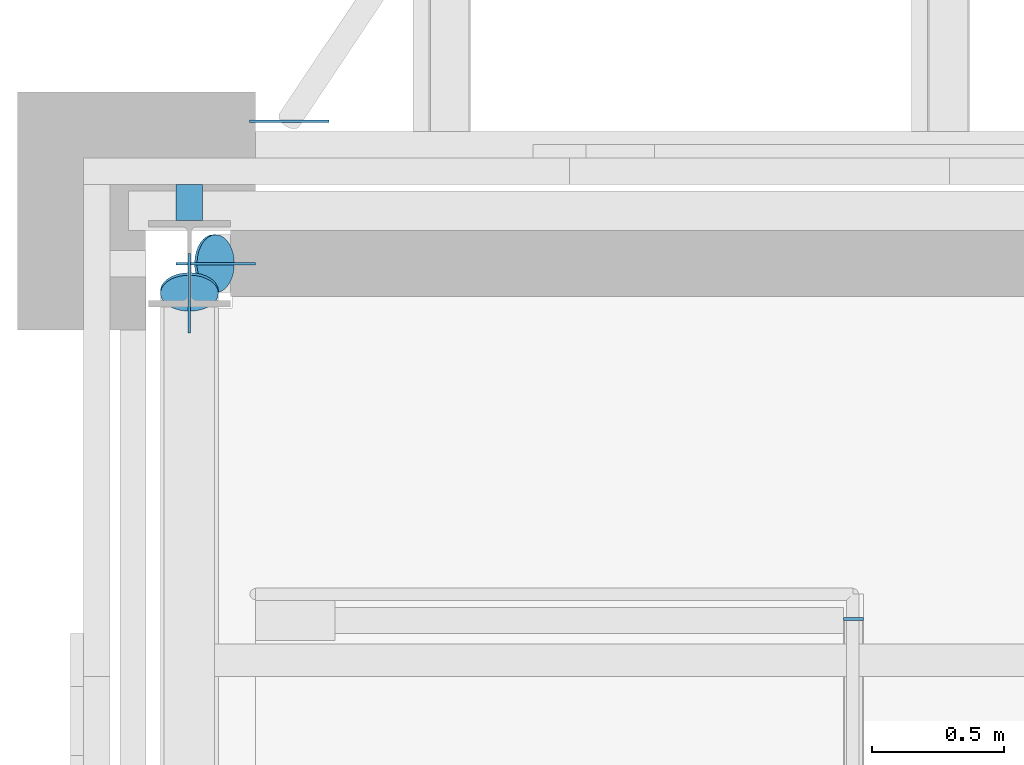
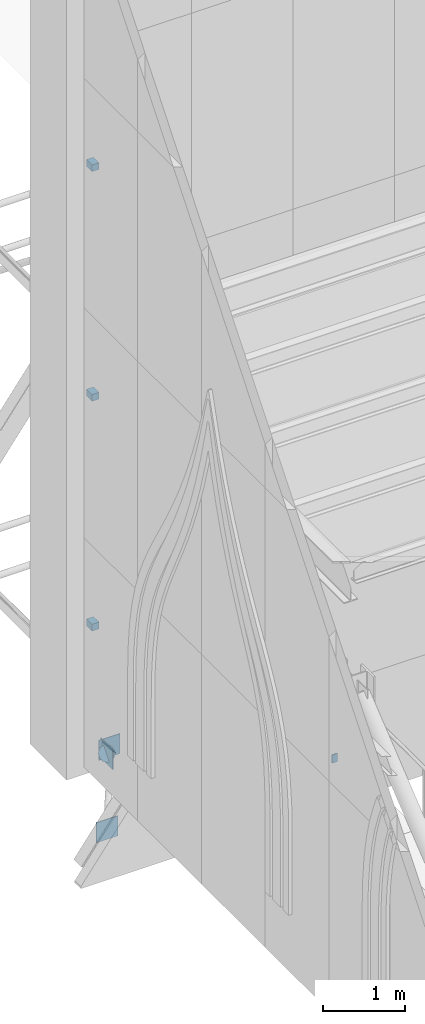
# One storey, part 26 of 43: 9 discrete accessories.
"""IFC4 building model written with IfcOpenShell, lengths in metres."""

from ifc_helpers import new_model, si_unit, direction, frame, origin, origin_2d, place, context, subcontext, project, spatial, rectangle, circle, extrude, material, material_profile, profile_set, type_object, element, save


model = new_model("IFC4")

# Units and contexts
model_context = context("Model", 3, precision=1e-05, world=origin(), true_north=direction((0.0, 1.0)))
body_context = subcontext(model_context, "Body", "Model", "MODEL_VIEW")
ifc_project = project(units=[si_unit("LENGTHUNIT", "METRE"), si_unit("AREAUNIT", "SQUARE_METRE"), si_unit("VOLUMEUNIT", "CUBIC_METRE"), si_unit("PLANEANGLEUNIT", "RADIAN"), si_unit("MASSUNIT", "GRAM", prefix="KILO")], contexts=[model_context])

# Site, building, storey
site_placement = place(None, origin())
site = spatial("IfcSite", under=ifc_project, at=site_placement, CompositionType="ELEMENT")
building_placement = place(site_placement, origin())
building = spatial("IfcBuilding", under=site, at=building_placement, Name="Saffron Lane Theatres", CompositionType="ELEMENT")
storey_placement = place(building_placement, frame((0.0, 0.0, 23.0)))
storey = spatial("IfcBuildingStorey", under=building, at=storey_placement, Name="Roof", CompositionType="ELEMENT", Elevation=23.0)

# Discrete accessories
ifc_material_1 = material(Name="Steel Grade 350", Category="steel")
ifc_material_profile_1 = material_profile(ifc_material_1, rectangle(XDim=0.300048828125, YDim=0.300048828125, at=origin_2d()))
ifc_profile_set_1 = profile_set([ifc_material_profile_1], Name="Steel Grade 350")
discrete_accessory_type_1 = type_object("IfcDiscreteAccessoryType", Name="ST-GUSSET CONNECTION PLATE", PredefinedType="BRACKET", material=ifc_profile_set_1)
discrete_accessory_1_placement = place(storey_placement, frame((18.627685546875, 54.783203125, -1.570556640625), z_axis=(0.0, 1.0, 0.0), x_axis=(-1.0, 0.0, 0.0)))
element("IfcDiscreteAccessory", 1, at=discrete_accessory_1_placement, inside=storey, type_object=discrete_accessory_type_1, Name="GB1", PredefinedType="BRACKET", context=body_context, shape_type="SweptSolid", body=[
    extrude(rectangle(XDim=0.300048828125, YDim=0.300048828125, at=origin_2d()), origin(), (0.0, 0.0, 1.0), 0.010009765625),
])
for number, where, z_axis, x_axis, name in (
    (2, (18.349365234375, 54.2451171875, 0.083740234375), (0.0, 1.0, 0.0), (-1.0, 0.0, 0.0), "GB117"),
    (3, (18.2451171875, 54.138427734375, 0.086669921875), (1.0, 0.0, 0.0), (0.0, 1.0, 0.0), "GB149"),
):
    element("IfcDiscreteAccessory", number, at=place(storey_placement, frame(where, z_axis=z_axis, x_axis=x_axis)), inside=storey, type_object=discrete_accessory_type_1, Name=name, PredefinedType="BRACKET", context=body_context, shape_type="SweptSolid", body=[
        extrude(rectangle(XDim=0.300048828125, YDim=0.300048828125, at=origin_2d()), origin(), (0.0, 0.0, 1.0), 0.009765625),
    ])
ifc_material_2 = material(Name="Steel Grade 350", Category="steel")
ifc_material_profile_2 = material_profile(ifc_material_2, rectangle(XDim=0.074951171875, YDim=0.125, at=origin_2d()))
ifc_profile_set_2 = profile_set([ifc_material_profile_2], Name="Steel Grade 350")
discrete_accessory_type_2 = type_object("IfcDiscreteAccessoryType", Name="ST-STEEL END CAP 125x75x5 RHS", PredefinedType="ANCHORPLATE", material=ifc_profile_set_2)
discrete_accessory_2_placement = place(storey_placement, frame((20.762451171875, 52.89990234375, -0.112548828125), z_axis=(0.0, 1.0, 0.0), x_axis=(-1.0, 0.0, 0.0)))
element("IfcDiscreteAccessory", 4, at=discrete_accessory_2_placement, inside=storey, type_object=discrete_accessory_type_2, Name="EC594", PredefinedType="ANCHORPLATE", context=body_context, shape_type="SweptSolid", body=[
    extrude(rectangle(XDim=0.074951171875, YDim=0.125, at=origin_2d()), origin(), (0.0, 0.0, 1.0), 0.01220703125),
])
ifc_material_3 = material(Name="Steel Grade 350", Category="steel")
ifc_material_profile_3 = material_profile(ifc_material_3, circle(Radius=0.109619140625, at=origin_2d()))
ifc_profile_set_3 = profile_set([ifc_material_profile_3], Name="Steel Grade 350")
discrete_accessory_type_3 = type_object("IfcDiscreteAccessoryType", Name="ST-STEEL END CAP 219.1x8.2 CHS", PredefinedType="ANCHORPLATE", material=ifc_profile_set_3)
for number, where, z_axis, x_axis, name in (
    (5, (18.340087890625, 54.25, 0.075927734375), (0.764911198117, 0.0, 0.644135745783), (0.0, 1.0, 0.0), "EC63"),
    (6, (18.25, 54.14794921875, 0.0791015625), (0.0, -0.782823254756, 0.622244125575), (1.0, 0.0, 0.0), "EC95"),
):
    element("IfcDiscreteAccessory", number, at=place(storey_placement, frame(where, z_axis=z_axis, x_axis=x_axis)), inside=storey, type_object=discrete_accessory_type_3, Name=name, PredefinedType="ANCHORPLATE", context=body_context, shape_type="SweptSolid", body=[
        extrude(circle(Radius=0.109619140625, at=origin_2d()), origin(), (0.0, 0.0, 1.0), 0.01220703125),
    ])
for number, where, z_axis, x_axis, name in (
    (7, (18.25, 54.481689453125, 1.768798828125), (0.0, 0.0, 1.0), (1.0, 0.0, 0.0), "Tower panel bracket 25"),
    (8, (18.25, 54.481689453125, 5.206298828125), (0.0, 0.0, 1.0), (1.0, 0.0, 0.0), "Tower panel bracket 26"),
    (9, (18.25, 54.481689453125, 8.643798828125), (0.0, 0.0, 1.0), (1.0, 0.0, 0.0), "Tower panel bracket 27"),
):
    element("IfcDiscreteAccessory", number, at=place(storey_placement, frame(where, z_axis=z_axis, x_axis=x_axis)), inside=storey, Name=name, PredefinedType="BRACKET", context=body_context, shape_type="SweptSolid", body=[
        extrude(rectangle(XDim=0.10009765625, YDim=0.136474609375, at=origin_2d()), origin(), (0.0, 0.0, 1.0), 0.10009765625),
    ])

save(model, "model.ifc")
